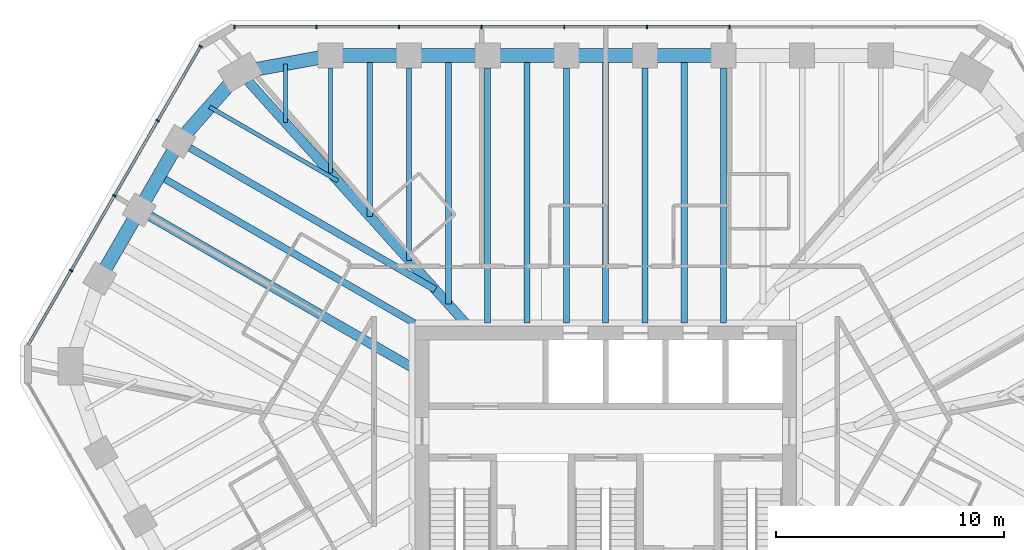
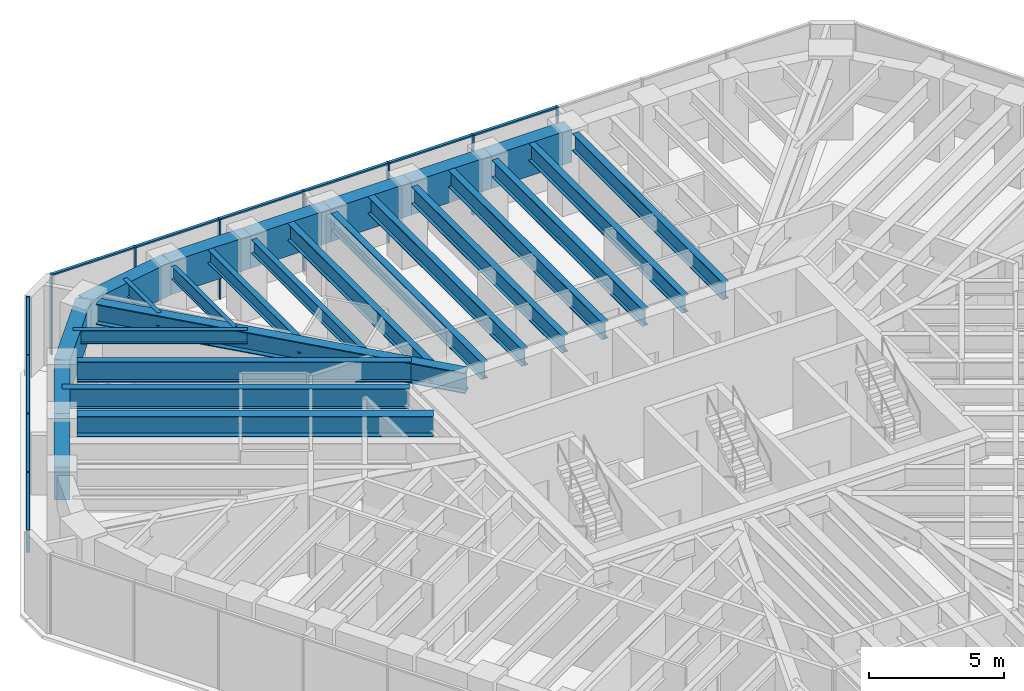
# One storey, part 6 of 14: 26 beams, 21 members, 2 elements without a shape of their own.
"""IFC4 building model written with IfcOpenShell, lengths in metres."""

import ifcopenshell
import ifcopenshell.guid

model = None  # the IFC model being written
_history = None  # IfcOwnerHistory: only IFC2X3 demands one
_inside = {}  # id of a spatial element -> (the spatial element, [elements in it])
_under = {}  # id of a project, library or spatial element -> (it, [spatial elements below it])
_declared = {}  # id of a project -> (the project, [libraries it declares])
_typed = {}  # id of a type object -> (the type object, [elements of that type])
_made_of = {}  # id of a material, layer set ... -> (it, [elements and type objects made of it])


def new_model(schema):
    """Start an empty IFC model of exactly this schema.

    Asked for "IFC4X3", IfcOpenShell would pick the latest addendum, in which some entities
    have other attributes; the version numbers below select the first issue.
    IFC2X3 requires an IfcOwnerHistory on every rooted entity: one is made here for all.
    """
    global model, _history
    if schema == "IFC4X3":
        model = ifcopenshell.file(schema_version=(4, 3, 0, 0))
    else:
        model = ifcopenshell.file(schema=schema)
    _inside.clear()
    _under.clear()
    _declared.clear()
    _typed.clear()
    _made_of.clear()
    _history = None
    if model.schema == "IFC2X3":
        org = make("IfcOrganization", Name="unknown")
        user = make(
            "IfcPersonAndOrganization",
            ThePerson=make("IfcPerson", FamilyName="unknown"),
            TheOrganization=org,
        )
        app = make(
            "IfcApplication",
            ApplicationDeveloper=org,
            Version="unknown",
            ApplicationFullName="unknown",
            ApplicationIdentifier="unknown",
        )
        _history = make(
            "IfcOwnerHistory",
            OwningUser=user,
            OwningApplication=app,
            ChangeAction="ADDED",
            CreationDate=0,
        )
    return model


def make(cls, **values):
    """One entity of the class cls with the attributes given. An attribute that is None is left unset."""
    return model.create_entity(
        cls, **{name: value for name, value in values.items() if value is not None}
    )


def rooted(cls, **values):
    """An entity with a GlobalId (a new one), such as an element, a storey or a relation."""
    return make(cls, GlobalId=ifcopenshell.guid.new(), OwnerHistory=_history, **values)


def si_unit(unit_type, name, prefix=None):
    """IfcSIUnit, for example si_unit("LENGTHUNIT", "METRE", prefix="MILLI")."""
    return make("IfcSIUnit", UnitType=unit_type, Prefix=prefix, Name=name)


def assignment(units):
    """IfcUnitAssignment: the units of a project."""
    return None if units is None else make("IfcUnitAssignment", Units=units)


def point(xyz):
    """IfcCartesianPoint."""
    return None if xyz is None else make("IfcCartesianPoint", Coordinates=xyz)


def direction(xyz):
    """IfcDirection."""
    return None if xyz is None else make("IfcDirection", DirectionRatios=xyz)


def frame(location, z_axis=None, x_axis=None):
    """IfcAxis2Placement3D, a coordinate frame: its origin and axes. An axis left out is left unset."""
    return make(
        "IfcAxis2Placement3D",
        Location=point(location),
        Axis=direction(z_axis),
        RefDirection=direction(x_axis),
    )


def frame_2d(location, x_axis=None):
    """IfcAxis2Placement2D, a coordinate frame in the plane: its origin and x axis."""
    return make(
        "IfcAxis2Placement2D", Location=point(location), RefDirection=direction(x_axis)
    )


def origin():
    """The frame at (0, 0, 0) with its axes left unset."""
    return frame((0.0, 0.0, 0.0))


def origin_2d():
    """The frame at (0, 0) in the plane with its x axis left unset."""
    return frame_2d((0.0, 0.0))


def place(relative_to, where):
    """IfcLocalPlacement: puts the frame where relative to a parent placement (None: the world)."""
    return make(
        "IfcLocalPlacement", PlacementRelTo=relative_to, RelativePlacement=where
    )


def context(
    kind, dimensions, precision=None, world=None, true_north=None, identifier=None
):
    """IfcGeometricRepresentationContext, for example the 3D "Model" context."""
    return make(
        "IfcGeometricRepresentationContext",
        ContextIdentifier=identifier,
        ContextType=kind,
        CoordinateSpaceDimension=dimensions,
        Precision=precision,
        WorldCoordinateSystem=world,
        TrueNorth=true_north,
    )


def subcontext(parent, identifier, kind, view, scale=None):
    """IfcGeometricRepresentationSubContext, for example "Body" below "Model"."""
    return make(
        "IfcGeometricRepresentationSubContext",
        ContextIdentifier=identifier,
        ContextType=kind,
        ParentContext=parent,
        TargetScale=scale,
        TargetView=view,
    )


def project(units=None, contexts=None):
    """IfcProject with its units and contexts."""
    return rooted(
        "IfcProject",
        Name="project",
        RepresentationContexts=contexts,
        UnitsInContext=assignment(units),
    )


def spatial(cls, under=None, at=None, **own):
    """A site, building, storey or space (cls), placed at a placement, below another one or the project."""
    s = rooted(cls, ObjectPlacement=at, **own)
    if under is not None:
        _under.setdefault(under.id(), (under, []))[1].append(s)
    return s


def profile(cls, at=None, kind="AREA", **sizes):
    """A parametric profile (cls). Its sizes go by their IFC names, for example OverallWidth=200.0."""
    return make(cls, ProfileType=kind, Position=at, **sizes)


def rectangle(**sizes):
    """IfcRectangleProfileDef."""
    return profile("IfcRectangleProfileDef", **sizes)


def i_section(**sizes):
    """IfcIShapeProfileDef."""
    return profile("IfcIShapeProfileDef", **sizes)


def extrude(swept, where, along, depth):
    """IfcExtrudedAreaSolid: the profile swept, set in the frame where, extruded along a direction by depth."""
    return make(
        "IfcExtrudedAreaSolid",
        SweptArea=swept,
        Position=where,
        ExtrudedDirection=direction(along),
        Depth=depth,
    )


def shape(context_of_items, identifier, shape_type, items):
    """IfcShapeRepresentation: the items that make up one representation, for example the "Body"."""
    return make(
        "IfcShapeRepresentation",
        ContextOfItems=context_of_items,
        RepresentationIdentifier=identifier,
        RepresentationType=shape_type,
        Items=items,
    )


def material(Name=None, Category=None):
    """IfcMaterial."""
    return make("IfcMaterial", Name=Name, Category=Category)


def material_profile(
    of_material, cross_section, Name=None, Category=None, Priority=None
):
    """IfcMaterialProfile: a cross section and its material."""
    return make(
        "IfcMaterialProfile",
        Name=Name,
        Material=of_material,
        Profile=cross_section,
        Priority=Priority,
        Category=Category,
    )


def profile_set(profiles, Name=None, composite=None):
    """IfcMaterialProfileSet."""
    return make(
        "IfcMaterialProfileSet",
        Name=Name,
        MaterialProfiles=profiles,
        CompositeProfile=composite,
    )


def made_of(thing, what):
    """Note that an element or type object is made of a material, layer set ...; save() writes the relation."""
    if what is not None:
        _made_of.setdefault(what.id(), (what, []))[1].append(thing)
    return thing


def type_object(cls, material=None, **own):
    """A type object (cls), such as IfcWallType, which elements share."""
    return made_of(rooted(cls, **own), material)


def element(
    cls,
    number,
    at=None,
    inside=None,
    cuts=None,
    type_object=None,
    material=None,
    context=None,
    identifier="Body",
    shape_type=None,
    held_by="IfcProductDefinitionShape",
    body=None,
    shapes=None,
    **own,
):
    """One element of the class cls, such as IfcWall. Its Tag is "e" and its number.

    at: its placement. inside: the storey or other place that contains it. cuts: it is an
    opening in that element (IfcRelVoidsElement). A single representation is given by context,
    identifier, shape_type and body (its items); several are given by shapes. held_by: the class
    of the entity that holds the representations. save() writes the other relations.
    """
    e = rooted(cls, Tag="e%d" % number, ObjectPlacement=at, **own)
    if body is not None:
        shapes = [shape(context, identifier, shape_type, body)]
    if shapes is not None:
        e.Representation = make(held_by, Representations=shapes)
    if inside is not None:
        _inside.setdefault(inside.id(), (inside, []))[1].append(e)
    if cuts is not None:
        rooted(
            "IfcRelVoidsElement", RelatingBuildingElement=cuts, RelatedOpeningElement=e
        )
    if type_object is not None:
        _typed.setdefault(type_object.id(), (type_object, []))[1].append(e)
    return made_of(e, material)


def aggregate(whole, parts):
    """IfcRelAggregates: a whole, such as a stair, and the parts it consists of."""
    return rooted("IfcRelAggregates", RelatingObject=whole, RelatedObjects=parts)


def save(model, path):
    """Write the relations noted so far, then the file.

    IfcRelAggregates (storeys below a building ...), IfcRelContainedInSpatialStructure (elements
    in a storey), IfcRelDefinesByType, IfcRelAssociatesMaterial and IfcRelDeclares: one each for
    every whole, place, type object, material and project.
    """
    for whole, parts in _under.values():
        aggregate(whole, parts)
    for where, things in _inside.values():
        rooted(
            "IfcRelContainedInSpatialStructure",
            RelatedElements=things,
            RelatingStructure=where,
        )
    for kind, things in _typed.values():
        rooted("IfcRelDefinesByType", RelatedObjects=things, RelatingType=kind)
    for what, things in _made_of.values():
        rooted("IfcRelAssociatesMaterial", RelatedObjects=things, RelatingMaterial=what)
    for by, libraries in _declared.values():
        rooted("IfcRelDeclares", RelatingContext=by, RelatedDefinitions=libraries)
    model.write(path)


model = new_model("IFC4")

# Units and contexts
model_context = context("Model", 3, precision=1e-05, world=origin(), true_north=direction((0.0, 1.0)))
body_context = subcontext(model_context, "Body", "Model", "MODEL_VIEW")
ifc_project = project(units=[si_unit("LENGTHUNIT", "METRE"), si_unit("AREAUNIT", "SQUARE_METRE"), si_unit("VOLUMEUNIT", "CUBIC_METRE"), si_unit("PLANEANGLEUNIT", "RADIAN"), si_unit("MASSUNIT", "GRAM", prefix="KILO")], contexts=[model_context])

# Site, building, storey
site_placement = place(None, origin())
site = spatial("IfcSite", under=ifc_project, at=site_placement, CompositionType="ELEMENT")
building_placement = place(site_placement, origin())
building = spatial("IfcBuilding", under=site, at=building_placement, Name="Sandreach Pilgrim Tower", CompositionType="ELEMENT")
storey_placement = place(building_placement, frame((0.0, 0.0, 295.0)))
storey = spatial("IfcBuildingStorey", under=building, at=storey_placement, Name="L74", CompositionType="ELEMENT", Elevation=295.0)

# Curtain wall, members
ifc_material_1 = material(Name="Aluminium framed curtain wall", Category="aluminium")
curtain_wall_type = type_object("IfcCurtainWallType", Name="Suite tower curtain wall", PredefinedType="NOTDEFINED", material=ifc_material_1)
curtain_wall_1_placement = place(storey_placement, origin())
curtain_wall_1 = element("IfcCurtainWall", 1, at=curtain_wall_1_placement, inside=storey, type_object=curtain_wall_type, Name="CW-4 L74 N", PredefinedType="NOTDEFINED")
ifc_material_2 = material(Name="Aluminium extrusion", Category="aluminium")
ifc_material_profile_1 = material_profile(ifc_material_2, rectangle(XDim=0.06005859375, YDim=0.159912109375, at=origin_2d()), Name="CW-4M 60X160")
ifc_profile_set_1 = profile_set([ifc_material_profile_1], Name="Aluminium extrusion")
member_type_1 = type_object("IfcMemberType", Name="CW-4 mullion", PredefinedType="MULLION", material=ifc_profile_set_1)
member_1_placement = place(storey_placement, frame((-16.268310546875, 19.826416015625, 0.0), z_axis=(0.0, 0.0, 1.0), x_axis=(1.0, 0.0, 0.0)))
member_1 = element("IfcMember", 2, at=member_1_placement, type_object=member_type_1, Name="CW-4 mullion 1", PredefinedType="MULLION", context=body_context, shape_type="SweptSolid", body=[
    extrude(rectangle(XDim=0.06005859375, YDim=0.159912109375, at=origin_2d()), origin(), (0.0, 0.0, 1.0), 3.639892578125),
])
member_2_placement = place(storey_placement, frame((-12.676513671875, 19.826416015625, 0.0), z_axis=(0.0, 0.0, 1.0), x_axis=(1.0, 0.0, 0.0)))
member_2 = element("IfcMember", 3, at=member_2_placement, type_object=member_type_1, Name="CW-4 mullion 2", PredefinedType="MULLION", context=body_context, shape_type="SweptSolid", body=[
    extrude(rectangle(XDim=0.06005859375, YDim=0.159912109375, at=origin_2d()), origin(), (0.0, 0.0, 1.0), 3.639892578125),
])
member_3_placement = place(storey_placement, frame((-9.0546875, 19.826416015625, 0.0), z_axis=(0.0, 0.0, 1.0), x_axis=(1.0, 0.0, 0.0)))
member_3 = element("IfcMember", 4, at=member_3_placement, type_object=member_type_1, Name="CW-4 mullion 3", PredefinedType="MULLION", context=body_context, shape_type="SweptSolid", body=[
    extrude(rectangle(XDim=0.06005859375, YDim=0.159912109375, at=origin_2d()), origin(), (0.0, 0.0, 1.0), 3.639892578125),
])
member_4_placement = place(storey_placement, frame((-5.432861328125, 19.826416015625, 0.0), z_axis=(0.0, 0.0, 1.0), x_axis=(1.0, 0.0, 0.0)))
member_4 = element("IfcMember", 5, at=member_4_placement, type_object=member_type_1, Name="CW-4 mullion 4", PredefinedType="MULLION", context=body_context, shape_type="SweptSolid", body=[
    extrude(rectangle(XDim=0.06005859375, YDim=0.159912109375, at=origin_2d()), origin(), (0.0, 0.0, 1.0), 3.639892578125),
])
member_5_placement = place(storey_placement, frame((-1.81103515625, 19.826416015625, 0.0), z_axis=(0.0, 0.0, 1.0), x_axis=(1.0, 0.0, 0.0)))
member_5 = element("IfcMember", 6, at=member_5_placement, type_object=member_type_1, Name="CW-4 mullion 5", PredefinedType="MULLION", context=body_context, shape_type="SweptSolid", body=[
    extrude(rectangle(XDim=0.06005859375, YDim=0.159912109375, at=origin_2d()), origin(), (0.0, 0.0, 1.0), 3.639892578125),
])
member_6_placement = place(storey_placement, frame((1.81103515625, 19.826416015625, 0.0), z_axis=(0.0, 0.0, 1.0), x_axis=(1.0, 0.0, 0.0)))
member_6 = element("IfcMember", 7, at=member_6_placement, type_object=member_type_1, Name="CW-4 mullion 6", PredefinedType="MULLION", context=body_context, shape_type="SweptSolid", body=[
    extrude(rectangle(XDim=0.06005859375, YDim=0.159912109375, at=origin_2d()), origin(), (0.0, 0.0, 1.0), 3.639892578125),
])
member_7_placement = place(storey_placement, frame((5.432861328125, 19.826416015625, 0.0), z_axis=(0.0, 0.0, 1.0), x_axis=(1.0, 0.0, 0.0)))
member_7 = element("IfcMember", 8, at=member_7_placement, type_object=member_type_1, Name="CW-4 mullion 7", PredefinedType="MULLION", context=body_context, shape_type="SweptSolid", body=[
    extrude(rectangle(XDim=0.06005859375, YDim=0.159912109375, at=origin_2d()), origin(), (0.0, 0.0, 1.0), 3.639892578125),
])

curtain_wall_2_placement = place(storey_placement, origin())
curtain_wall_2 = element("IfcCurtainWall", 9, at=curtain_wall_2_placement, inside=storey, type_object=curtain_wall_type, Name="CW-4 L74 NW", PredefinedType="NOTDEFINED")
member_8_placement = place(storey_placement, frame((-23.423583984375, 9.145263671875, 0.0), z_axis=(0.0, 0.0, 1.0), x_axis=(0.5, 0.866025403784, 0.0)))
member_8 = element("IfcMember", 10, at=member_8_placement, type_object=member_type_1, Name="CW-4 mullion 2", PredefinedType="MULLION", context=body_context, shape_type="SweptSolid", body=[
    extrude(rectangle(XDim=0.06005859375, YDim=0.159912109375, at=origin_2d()), origin(), (0.0, 0.0, 1.0), 3.639892578125),
])
member_9_placement = place(storey_placement, frame((-21.527587890625, 12.428955078125, 0.0), z_axis=(0.0, 0.0, 1.0), x_axis=(0.5, 0.866025403784, 0.0)))
member_9 = element("IfcMember", 11, at=member_9_placement, type_object=member_type_1, Name="CW-4 mullion 3", PredefinedType="MULLION", context=body_context, shape_type="SweptSolid", body=[
    extrude(rectangle(XDim=0.06005859375, YDim=0.159912109375, at=origin_2d()), origin(), (0.0, 0.0, 1.0), 3.639892578125),
])
member_10_placement = place(storey_placement, frame((-19.6318359375, 15.712646484375, 0.0), z_axis=(0.0, 0.0, 1.0), x_axis=(0.5, 0.866025403784, 0.0)))
member_10 = element("IfcMember", 12, at=member_10_placement, type_object=member_type_1, Name="CW-4 mullion 4", PredefinedType="MULLION", context=body_context, shape_type="SweptSolid", body=[
    extrude(rectangle(XDim=0.06005859375, YDim=0.159912109375, at=origin_2d()), origin(), (0.0, 0.0, 1.0), 3.639892578125),
])
member_11_placement = place(storey_placement, frame((-17.7509765625, 18.970458984375, 0.0), z_axis=(0.0, 0.0, 1.0), x_axis=(0.5, 0.866025403784, 0.0)))
member_11 = element("IfcMember", 13, at=member_11_placement, type_object=member_type_1, Name="CW-4 mullion 5", PredefinedType="MULLION", context=body_context, shape_type="SweptSolid", body=[
    extrude(rectangle(XDim=0.06005859375, YDim=0.159912109375, at=origin_2d()), origin(), (0.0, 0.0, 1.0), 3.639892578125),
])

# Member
ifc_material_3 = material(Name="Aluminium extrusion", Category="aluminium")
ifc_material_profile_2 = material_profile(ifc_material_3, rectangle(XDim=0.1201171875, YDim=0.070068359375, at=origin_2d()), Name="CW-4T 120X70")
ifc_profile_set_2 = profile_set([ifc_material_profile_2], Name="Aluminium extrusion")
member_type_2 = type_object("IfcMemberType", Name="CW-4 transom", PredefinedType="USERDEFINED", material=ifc_profile_set_2)
member_12_placement = place(storey_placement, frame((-16.23828125, 19.826416015625, 3.60498046875), z_axis=(1.0, 0.0, 0.0), x_axis=(0.0, 1.0, 0.0)))
member_12 = element("IfcMember", 14, at=member_12_placement, type_object=member_type_2, Name="CW-4 head transom 1", ObjectType="TRANSOM", PredefinedType="USERDEFINED", context=body_context, shape_type="SweptSolid", body=[
    extrude(rectangle(XDim=0.1201171875, YDim=0.070068359375, at=origin_2d()), origin(), (0.0, 0.0, 1.0), 3.53173828125),
])

member_13_placement = place(storey_placement, frame((-12.646484375, 19.826416015625, 3.60498046875), z_axis=(1.0, 0.0, 0.0), x_axis=(0.0, 1.0, 0.0)))
member_13 = element("IfcMember", 15, at=member_13_placement, type_object=member_type_2, Name="CW-4 head transom 2", ObjectType="TRANSOM", PredefinedType="USERDEFINED", context=body_context, shape_type="SweptSolid", body=[
    extrude(rectangle(XDim=0.1201171875, YDim=0.070068359375, at=origin_2d()), origin(), (0.0, 0.0, 1.0), 3.561767578125),
])

member_14_placement = place(storey_placement, frame((-9.024658203125, 19.826416015625, 3.60498046875), z_axis=(1.0, 0.0, 0.0), x_axis=(0.0, 1.0, 0.0)))
member_14 = element("IfcMember", 16, at=member_14_placement, type_object=member_type_2, Name="CW-4 head transom 3", ObjectType="TRANSOM", PredefinedType="USERDEFINED", context=body_context, shape_type="SweptSolid", body=[
    extrude(rectangle(XDim=0.1201171875, YDim=0.070068359375, at=origin_2d()), origin(), (0.0, 0.0, 1.0), 3.561767578125),
])

member_15_placement = place(storey_placement, frame((-5.40283203125, 19.826416015625, 3.60498046875), z_axis=(1.0, 0.0, 0.0), x_axis=(0.0, 1.0, 0.0)))
member_15 = element("IfcMember", 17, at=member_15_placement, type_object=member_type_2, Name="CW-4 head transom 4", ObjectType="TRANSOM", PredefinedType="USERDEFINED", context=body_context, shape_type="SweptSolid", body=[
    extrude(rectangle(XDim=0.1201171875, YDim=0.070068359375, at=origin_2d()), origin(), (0.0, 0.0, 1.0), 3.56201171875),
])

member_16_placement = place(storey_placement, frame((-1.781005859375, 19.826416015625, 3.60498046875), z_axis=(1.0, 0.0, 0.0), x_axis=(0.0, 1.0, 0.0)))
member_16 = element("IfcMember", 18, at=member_16_placement, type_object=member_type_2, Name="CW-4 head transom 5", ObjectType="TRANSOM", PredefinedType="USERDEFINED", context=body_context, shape_type="SweptSolid", body=[
    extrude(rectangle(XDim=0.1201171875, YDim=0.070068359375, at=origin_2d()), origin(), (0.0, 0.0, 1.0), 3.56201171875),
])

member_17_placement = place(storey_placement, frame((1.8408203125, 19.826416015625, 3.60498046875), z_axis=(1.0, 0.0, 0.0), x_axis=(0.0, 1.0, 0.0)))
member_17 = element("IfcMember", 19, at=member_17_placement, type_object=member_type_2, Name="CW-4 head transom 6", ObjectType="TRANSOM", PredefinedType="USERDEFINED", context=body_context, shape_type="SweptSolid", body=[
    extrude(rectangle(XDim=0.1201171875, YDim=0.070068359375, at=origin_2d()), origin(), (0.0, 0.0, 1.0), 3.56201171875),
])

aggregate(curtain_wall_1, [member_1, member_2, member_3, member_4, member_5, member_6, member_7, member_12, member_13, member_14, member_15, member_16, member_17])

member_18_placement = place(storey_placement, frame((-25.289306640625, 5.91357421875, 3.60498046875), z_axis=(0.499990780478, 0.866030726613, 0.0), x_axis=(-0.866030726613, 0.499990780478, 0.0)))
member_18 = element("IfcMember", 20, at=member_18_placement, type_object=member_type_2, Name="CW-4 head transom 1", ObjectType="TRANSOM", PredefinedType="USERDEFINED", context=body_context, shape_type="SweptSolid", body=[
    extrude(rectangle(XDim=0.1201171875, YDim=0.070068359375, at=origin_2d()), origin(), (0.0, 0.0, 1.0), 3.70166015625),
])

member_19_placement = place(storey_placement, frame((-23.408447265625, 9.17138671875, 3.60498046875), z_axis=(0.499981083104, 0.866036325184, 0.0), x_axis=(-0.866036325184, 0.499981083104, 0.0)))
member_19 = element("IfcMember", 21, at=member_19_placement, type_object=member_type_2, Name="CW-4 head transom 2", ObjectType="TRANSOM", PredefinedType="USERDEFINED", context=body_context, shape_type="SweptSolid", body=[
    extrude(rectangle(XDim=0.1201171875, YDim=0.070068359375, at=origin_2d()), origin(), (0.0, 0.0, 1.0), 3.731689453125),
])

member_20_placement = place(storey_placement, frame((-21.5126953125, 12.455078125, 3.60498046875), z_axis=(0.500030151002, 0.866007995396, 0.0), x_axis=(-0.866007995396, 0.500030151002, 0.0)))
member_20 = element("IfcMember", 22, at=member_20_placement, type_object=member_type_2, Name="CW-4 head transom 3", ObjectType="TRANSOM", PredefinedType="USERDEFINED", context=body_context, shape_type="SweptSolid", body=[
    extrude(rectangle(XDim=0.1201171875, YDim=0.070068359375, at=origin_2d()), origin(), (0.0, 0.0, 1.0), 3.731689453125),
])

member_21_placement = place(storey_placement, frame((-19.616943359375, 15.73876953125, 3.60498046875), z_axis=(0.499990780478, 0.866030726613, 0.0), x_axis=(-0.866030726613, 0.499990780478, 0.0)))
member_21 = element("IfcMember", 23, at=member_21_placement, type_object=member_type_2, Name="CW-4 head transom 4", ObjectType="TRANSOM", PredefinedType="USERDEFINED", context=body_context, shape_type="SweptSolid", body=[
    extrude(rectangle(XDim=0.1201171875, YDim=0.070068359375, at=origin_2d()), origin(), (0.0, 0.0, 1.0), 3.70166015625),
])

aggregate(curtain_wall_2, [member_8, member_9, member_10, member_11, member_18, member_19, member_20, member_21])

# Beams
ifc_material_4 = material(Name="Steel ASTM A992 Grade 50", Category="steel")
ifc_material_profile_3 = material_profile(ifc_material_4, i_section(OverallWidth=0.421630859375, OverallDepth=0.937255859375, WebThickness=0.0224609375, FlangeThickness=0.039794921875, at=origin_2d()), Name="W36X282")
ifc_profile_set_3 = profile_set([ifc_material_profile_3], Name="Steel ASTM A992 Grade 50")
beam_type_1 = type_object("IfcBeamType", Name="Corner girder W36X282", PredefinedType="BEAM", material=ifc_profile_set_3)
beam_1_placement = place(storey_placement, frame((-15.649169921875, 17.427978515625, 3.17138671875), z_axis=(0.668114851597, -0.74405815974, 0.0), x_axis=(0.74405815974, 0.668114851597, 0.0)))
element("IfcBeam", 24, at=beam_1_placement, inside=storey, type_object=beam_type_1, Name="BM L74 CG39", PredefinedType="BEAM", context=body_context, shape_type="SweptSolid", body=[
    extrude(i_section(OverallWidth=0.421630859375, OverallDepth=0.937255859375, WebThickness=0.0224609375, FlangeThickness=0.039794921875, at=origin_2d()), origin(), (0.0, 0.0, 1.0), 14.418212890625),
])
ifc_material_5 = material(Name="Steel ASTM A992 Grade 50", Category="steel")
ifc_material_profile_4 = material_profile(ifc_material_5, i_section(OverallWidth=0.1787109375, OverallDepth=0.60205078125, WebThickness=0.010986328125, FlangeThickness=0.014892578125, at=origin_2d()), Name="W24X62")
ifc_profile_set_4 = profile_set([ifc_material_profile_4], Name="Steel ASTM A992 Grade 50")
beam_type_2 = type_object("IfcBeamType", Name="Floor beam W24X62", PredefinedType="BEAM", material=ifc_profile_set_4)
beam_2_placement = place(storey_placement, frame((-12.0576171875, 18.016357421875, 3.339111328125), z_axis=(0.0, -1.0, 0.0), x_axis=(1.0, 0.0, 0.0)))
element("IfcBeam", 25, at=beam_2_placement, inside=storey, type_object=beam_type_2, Name="BM L74 F01", PredefinedType="BEAM", context=body_context, shape_type="SweptSolid", body=[
    extrude(i_section(OverallWidth=0.1787109375, OverallDepth=0.60205078125, WebThickness=0.010986328125, FlangeThickness=0.014892578125, at=origin_2d()), origin(), (0.0, 0.0, 1.0), 4.58837890625),
])
beam_3_placement = place(storey_placement, frame((-17.360107421875, 16.31884765625, 3.339111328125), z_axis=(0.866023980233, -0.500002465655, 0.0), x_axis=(0.500002465655, 0.866023980233, 0.0)))
element("IfcBeam", 26, at=beam_3_placement, inside=storey, type_object=beam_type_2, Name="BM L74 FM38", PredefinedType="BEAM", context=body_context, shape_type="SweptSolid", body=[
    extrude(i_section(OverallWidth=0.1787109375, OverallDepth=0.60205078125, WebThickness=0.010986328125, FlangeThickness=0.014892578125, at=origin_2d()), origin(), (0.0, 0.0, 1.0), 6.49072265625),
])
beam_4_placement = place(storey_placement, frame((-14.037109375, 18.201904296875, 3.339111328125), z_axis=(0.0, -1.0, 0.0), x_axis=(1.0, 0.0, 0.0)))
element("IfcBeam", 27, at=beam_4_placement, inside=storey, type_object=beam_type_2, Name="BM L74 FM39", PredefinedType="BEAM", context=body_context, shape_type="SweptSolid", body=[
    extrude(i_section(OverallWidth=0.1787109375, OverallDepth=0.60205078125, WebThickness=0.010986328125, FlangeThickness=0.014892578125, at=origin_2d()), origin(), (0.0, 0.0, 1.0), 2.5693359375),
])
ifc_material_6 = material(Name="Steel ASTM A992 Grade 50", Category="steel")
ifc_material_profile_5 = material_profile(ifc_material_6, i_section(OverallWidth=0.23046875, OverallDepth=0.6171875, WebThickness=0.01318359375, FlangeThickness=0.022216796875, at=origin_2d()), Name="W24X94")
ifc_profile_set_5 = profile_set([ifc_material_profile_5], Name="Steel ASTM A992 Grade 50")
beam_type_3 = type_object("IfcBeamType", Name="Floor beam W24X94", PredefinedType="BEAM", material=ifc_profile_set_5)
beam_5_placement = place(storey_placement, frame((-8.612548828125, 18.016357421875, 3.331298828125), z_axis=(0.0, -1.0, 0.0), x_axis=(1.0, 0.0, 0.0)))
element("IfcBeam", 28, at=beam_5_placement, inside=storey, type_object=beam_type_3, Name="BM L74 F02", PredefinedType="BEAM", context=body_context, shape_type="SweptSolid", body=[
    extrude(i_section(OverallWidth=0.23046875, OverallDepth=0.6171875, WebThickness=0.01318359375, FlangeThickness=0.022216796875, at=origin_2d()), origin(), (0.0, 0.0, 1.0), 8.4248046875),
])
beam_6_placement = place(storey_placement, frame((-10.3349609375, 18.56640625, 3.331298828125), z_axis=(0.0, -1.0, 0.0), x_axis=(1.0, 0.0, 0.0)))
element("IfcBeam", 29, at=beam_6_placement, inside=storey, type_object=beam_type_3, Name="BM L74 FM01", PredefinedType="BEAM", context=body_context, shape_type="SweptSolid", body=[
    extrude(i_section(OverallWidth=0.23046875, OverallDepth=0.6171875, WebThickness=0.01318359375, FlangeThickness=0.022216796875, at=origin_2d()), origin(), (0.0, 0.0, 1.0), 7.056640625),
])
ifc_material_7 = material(Name="Steel ASTM A992 Grade 50", Category="steel")
ifc_material_profile_6 = material_profile(ifc_material_7, i_section(OverallWidth=0.2666015625, OverallDepth=0.77978515625, WebThickness=0.0166015625, FlangeThickness=0.030029296875, at=origin_2d()), Name="W30X148")
ifc_profile_set_6 = profile_set([ifc_material_profile_6], Name="Steel ASTM A992 Grade 50")
beam_type_4 = type_object("IfcBeamType", Name="Floor beam W30X148", PredefinedType="BEAM", material=ifc_profile_set_6)
for number, where, z_axis, x_axis, name in (
    (30, (-5.16748046875, 18.016357421875, 3.25), (0.0, -1.0, 0.0), (1.0, 0.0, 0.0), "BM L74 F03"),
    (31, (-1.722412109375, 18.016357421875, 3.25), (0.0, -1.0, 0.0), (1.0, 0.0, 0.0), "BM L74 F04"),
    (32, (1.722412109375, 18.016357421875, 3.25), (0.0, -1.0, 0.0), (1.0, 0.0, 0.0), "BM L74 F05"),
    (33, (5.16748046875, 18.016357421875, 3.25), (0.0, -1.0, 0.0), (1.0, 0.0, 0.0), "BM L74 F06"),
):
    element("IfcBeam", number, at=place(storey_placement, frame(where, z_axis=z_axis, x_axis=x_axis)), inside=storey, type_object=beam_type_4, Name=name, PredefinedType="BEAM", context=body_context, shape_type="SweptSolid", body=[
        extrude(i_section(OverallWidth=0.2666015625, OverallDepth=0.77978515625, WebThickness=0.0166015625, FlangeThickness=0.030029296875, at=origin_2d()), origin(), (0.0, 0.0, 1.0), 11.173095703125),
    ])
beam_7_placement = place(storey_placement, frame((-6.89013671875, 18.56640625, 3.25), z_axis=(0.0, -1.0, 0.0), x_axis=(1.0, 0.0, 0.0)))
element("IfcBeam", 34, at=beam_7_placement, inside=storey, type_object=beam_type_4, Name="BM L74 FM02", PredefinedType="BEAM", context=body_context, shape_type="SweptSolid", body=[
    extrude(i_section(OverallWidth=0.2666015625, OverallDepth=0.77978515625, WebThickness=0.0166015625, FlangeThickness=0.030029296875, at=origin_2d()), origin(), (0.0, 0.0, 1.0), 10.893310546875),
])
for number, where, z_axis, x_axis, name in (
    (35, (-3.445068359375, 18.56640625, 3.25), (0.0, -1.0, 0.0), (1.0, 0.0, 0.0), "BM L74 FM03"),
    (36, (0.0, 18.56640625, 3.25), (0.0, -1.0, 0.0), (1.0, 0.0, 0.0), "BM L74 FM04"),
    (37, (3.445068359375, 18.56640625, 3.25), (0.0, -1.0, 0.0), (1.0, 0.0, 0.0), "BM L74 FM05"),
):
    element("IfcBeam", number, at=place(storey_placement, frame(where, z_axis=z_axis, x_axis=x_axis)), inside=storey, type_object=beam_type_4, Name=name, PredefinedType="BEAM", context=body_context, shape_type="SweptSolid", body=[
        extrude(i_section(OverallWidth=0.2666015625, OverallDepth=0.77978515625, WebThickness=0.0166015625, FlangeThickness=0.030029296875, at=origin_2d()), origin(), (0.0, 0.0, 1.0), 11.72314453125),
    ])
ifc_material_8 = material(Name="Steel ASTM A992 Grade 50", Category="steel")
ifc_material_profile_7 = material_profile(ifc_material_8, i_section(OverallWidth=0.3046875, OverallDepth=0.914306640625, WebThickness=0.0166015625, FlangeThickness=0.02587890625, at=origin_2d()), Name="W36X160")
ifc_profile_set_7 = profile_set([ifc_material_profile_7], Name="Steel ASTM A992 Grade 50")
beam_type_5 = type_object("IfcBeamType", Name="Floor beam W36X160", PredefinedType="BEAM", material=ifc_profile_set_7)
beam_8_placement = place(storey_placement, frame((-18.227294921875, 14.525390625, 3.182861328125), z_axis=(0.866020427415, -0.500008619226, 0.0), x_axis=(0.500008619226, 0.866020427415, 0.0)))
element("IfcBeam", 38, at=beam_8_placement, inside=storey, type_object=beam_type_5, Name="BM L74 F38", PredefinedType="BEAM", context=body_context, shape_type="SweptSolid", body=[
    extrude(i_section(OverallWidth=0.3046875, OverallDepth=0.914306640625, WebThickness=0.0166015625, FlangeThickness=0.02587890625, at=origin_2d()), origin(), (0.0, 0.0, 1.0), 12.431396484375),
])
beam_9_placement = place(storey_placement, frame((-19.570068359375, 13.299560546875, 3.182861328125), z_axis=(0.866025008595, -0.500000684488, 0.0), x_axis=(0.500000684488, 0.866025008595, 0.0)))
element("IfcBeam", 39, at=beam_9_placement, inside=storey, type_object=beam_type_5, Name="BM L74 FM37", PredefinedType="BEAM", context=body_context, shape_type="SweptSolid", body=[
    extrude(i_section(OverallWidth=0.3046875, OverallDepth=0.914306640625, WebThickness=0.0166015625, FlangeThickness=0.02587890625, at=origin_2d()), origin(), (0.0, 0.0, 1.0), 12.91259765625),
])
ifc_material_9 = material(Name="Steel ASTM A992 Grade 50", Category="steel")
ifc_material_profile_8 = material_profile(ifc_material_9, i_section(OverallWidth=0.419189453125, OverallDepth=0.927001953125, WebThickness=0.019287109375, FlangeThickness=0.031982421875, at=origin_2d()), Name="W36X231")
ifc_profile_set_8 = profile_set([ifc_material_profile_8], Name="Steel ASTM A992 Grade 50")
beam_type_6 = type_object("IfcBeamType", Name="Floor beam W36X231", PredefinedType="BEAM", material=ifc_profile_set_8)
beam_10_placement = place(storey_placement, frame((-19.960205078125, 11.52392578125, 3.176513671875), z_axis=(0.86602530353, -0.500000173646, 0.0), x_axis=(0.500000173646, 0.86602530353, 0.0)))
element("IfcBeam", 40, at=beam_10_placement, inside=storey, type_object=beam_type_6, Name="BM L74 F37", PredefinedType="BEAM", context=body_context, shape_type="SweptSolid", body=[
    extrude(i_section(OverallWidth=0.419189453125, OverallDepth=0.927001953125, WebThickness=0.019287109375, FlangeThickness=0.031982421875, at=origin_2d()), origin(), (0.0, 0.0, 1.0), 13.24072265625),
])
ifc_material_10 = material(Name="Concrete 10000 psi", Category="concrete")
ifc_material_profile_9 = material_profile(ifc_material_10, rectangle(XDim=0.60009765625, YDim=1.5, at=origin_2d()), Name="RC600X1500")
ifc_profile_set_9 = profile_set([ifc_material_profile_9], Name="Concrete 10000 psi")
beam_type_7 = type_object("IfcBeamType", Name="Spandrel beam RC600X1500", PredefinedType="SPANDREL", material=ifc_profile_set_9)
for number, where, z_axis, x_axis, name in (
    (41, (-12.0576171875, 18.56640625, 2.889892578125), (1.0, 0.0, 0.0), (0.0, 1.0, 0.0), "BM L74 SP01"),
    (42, (-8.612548828125, 18.56640625, 2.889892578125), (1.0, 0.0, 0.0), (0.0, 1.0, 0.0), "BM L74 SP02"),
    (43, (-5.16748046875, 18.56640625, 2.889892578125), (1.0, 0.0, 0.0), (0.0, 1.0, 0.0), "BM L74 SP03"),
):
    element("IfcBeam", number, at=place(storey_placement, frame(where, z_axis=z_axis, x_axis=x_axis)), inside=storey, type_object=beam_type_7, Name=name, PredefinedType="SPANDREL", context=body_context, shape_type="SweptSolid", body=[
        extrude(rectangle(XDim=0.60009765625, YDim=1.5, at=origin_2d()), origin(), (0.0, 0.0, 1.0), 3.445068359375),
    ])
beam_11_placement = place(storey_placement, frame((-1.722412109375, 18.56640625, 2.889892578125), z_axis=(1.0, 0.0, 0.0), x_axis=(0.0, 1.0, 0.0)))
element("IfcBeam", 44, at=beam_11_placement, inside=storey, type_object=beam_type_7, Name="BM L74 SP04", PredefinedType="SPANDREL", context=body_context, shape_type="SweptSolid", body=[
    extrude(rectangle(XDim=0.60009765625, YDim=1.5, at=origin_2d()), origin(), (0.0, 0.0, 1.0), 3.44482421875),
])
beam_12_placement = place(storey_placement, frame((1.722412109375, 18.56640625, 2.889892578125), z_axis=(1.0, 0.0, 0.0), x_axis=(0.0, 1.0, 0.0)))
element("IfcBeam", 45, at=beam_12_placement, inside=storey, type_object=beam_type_7, Name="BM L74 SP05", PredefinedType="SPANDREL", context=body_context, shape_type="SweptSolid", body=[
    extrude(rectangle(XDim=0.60009765625, YDim=1.5, at=origin_2d()), origin(), (0.0, 0.0, 1.0), 3.445068359375),
])
for number, where, z_axis, x_axis, name in (
    (46, (-22.169189453125, 8.7978515625, 2.889892578125), (0.499980616072, 0.866036594811, 0.0), (-0.866036594811, 0.499980616072, 0.0), "BM L74 SP36"),
    (47, (-20.4365234375, 11.799072265625, 2.889892578125), (0.500033451825, 0.866006089503, 0.0), (-0.866006089503, 0.500033451825, 0.0), "BM L74 SP37"),
):
    element("IfcBeam", number, at=place(storey_placement, frame(where, z_axis=z_axis, x_axis=x_axis)), inside=storey, type_object=beam_type_7, Name=name, PredefinedType="SPANDREL", context=body_context, shape_type="SweptSolid", body=[
        extrude(rectangle(XDim=0.60009765625, YDim=1.5, at=origin_2d()), origin(), (0.0, 0.0, 1.0), 3.465576171875),
    ])
beam_13_placement = place(storey_placement, frame((-18.70361328125, 14.80029296875, 2.889892578125), z_axis=(0.662650525414, 0.748928755736, 0.0), x_axis=(-0.748928755736, 0.662650525414, 0.0)))
element("IfcBeam", 48, at=beam_13_placement, inside=storey, type_object=beam_type_7, Name="BM L74 SP38", PredefinedType="SPANDREL", context=body_context, shape_type="SweptSolid", body=[
    extrude(rectangle(XDim=0.60009765625, YDim=1.5, at=origin_2d()), origin(), (0.0, 0.0, 1.0), 4.054931640625),
])
beam_14_placement = place(storey_placement, frame((-16.0166015625, 17.837158203125, 2.889892578125), z_axis=(0.983454894629, 0.181153167875, 0.0), x_axis=(-0.181153167875, 0.983454894629, 0.0)))
element("IfcBeam", 49, at=beam_14_placement, inside=storey, type_object=beam_type_7, Name="BM L74 SP39", PredefinedType="SPANDREL", context=body_context, shape_type="SweptSolid", body=[
    extrude(rectangle(XDim=0.60009765625, YDim=1.5, at=origin_2d()), origin(), (0.0, 0.0, 1.0), 4.025634765625),
])

save(model, "model.ifc")
